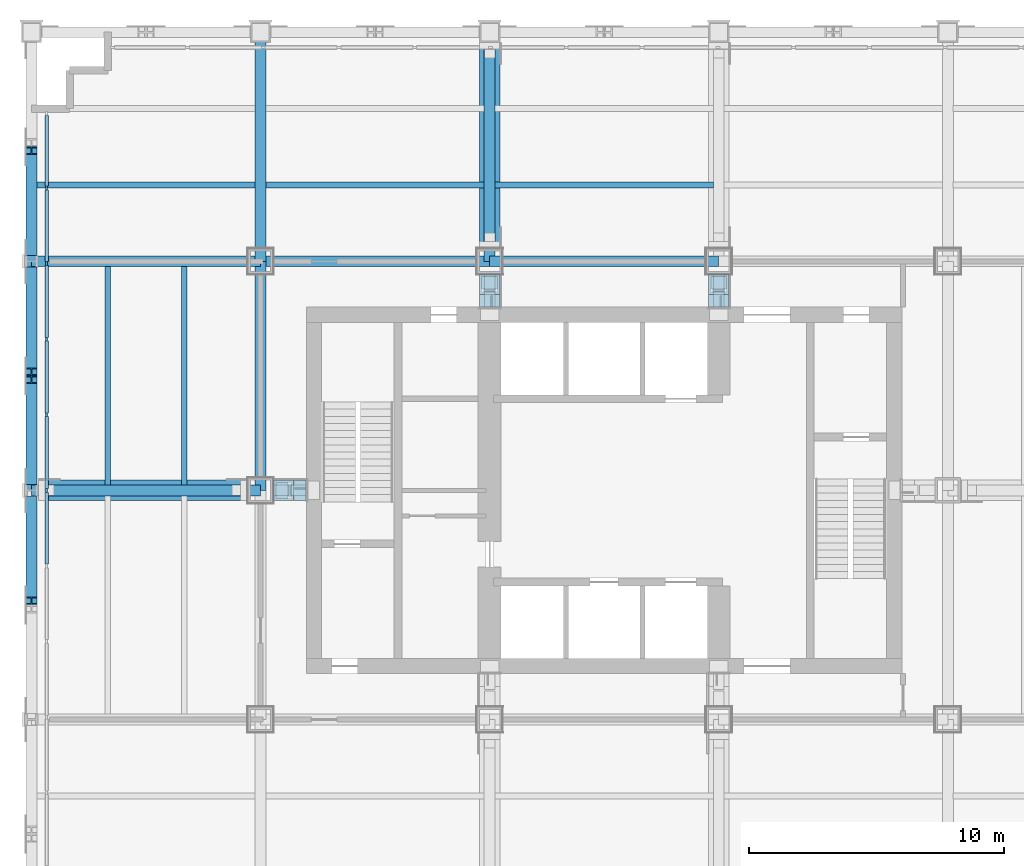
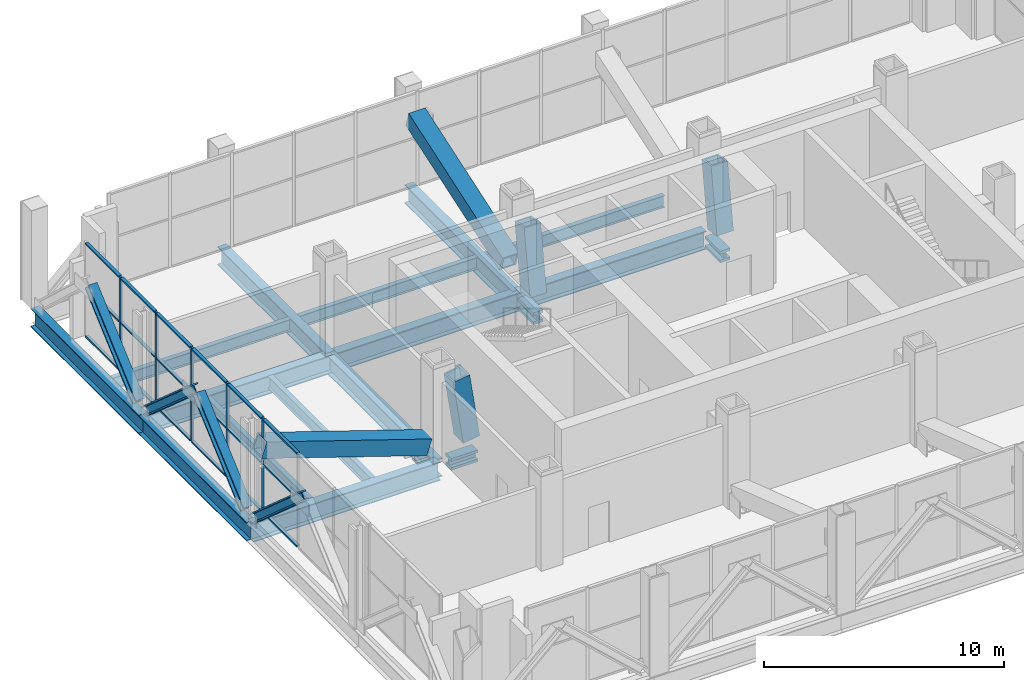
# One storey, part 4 of 16: 35 members, 14 beams, 1 element without a shape of its own.
"""IFC4 building model written with IfcOpenShell, lengths in metres."""

from ifc_helpers import new_model, si_unit, direction, frame, origin, origin_2d, place, context, subcontext, project, spatial, rectangle, hollow_rectangle, i_section, extrude, material, material_profile, profile_set, type_object, element, aggregate, save


model = new_model("IFC4")

# Units and contexts
model_context = context("Model", 3, precision=1e-05, world=origin(), true_north=direction((0.0, 1.0)))
body_context = subcontext(model_context, "Body", "Model", "MODEL_VIEW")
ifc_project = project(units=[si_unit("LENGTHUNIT", "METRE"), si_unit("AREAUNIT", "SQUARE_METRE"), si_unit("VOLUMEUNIT", "CUBIC_METRE"), si_unit("PLANEANGLEUNIT", "RADIAN"), si_unit("MASSUNIT", "GRAM", prefix="KILO")], contexts=[model_context])

# Site, building, storey
site_placement = place(None, origin())
site = spatial("IfcSite", under=ifc_project, at=site_placement, CompositionType="ELEMENT")
building_placement = place(site_placement, origin())
building = spatial("IfcBuilding", under=site, at=building_placement, Name="Loomwork Tower", CompositionType="ELEMENT")
storey_placement = place(building_placement, frame((0.0, 0.0, 155.39990234375)))
storey = spatial("IfcBuildingStorey", under=building, at=storey_placement, Name="L42", CompositionType="ELEMENT", Elevation=155.39990234375)

# Beams
ifc_material_1 = material(Name="Steel ASTM A992", Category="steel")
ifc_material_profile_1 = material_profile(ifc_material_1, i_section(OverallWidth=0.424072265625, OverallDepth=0.947509765625, WebThickness=0.02392578125, FlangeThickness=0.042724609375, at=origin_2d()), Name="W36x302")
ifc_profile_set_1 = profile_set([ifc_material_profile_1], Name="Steel ASTM A992")
beam_type_1 = type_object("IfcBeamType", Name="BELT CHORD SPANDREL W36x302", PredefinedType="SPANDREL", material=ifc_profile_set_1)
for number, where, z_axis, x_axis, name in (
    (1, (0.0, 18.0, -0.7236328125), (0.0, 1.0, 0.0), (-1.0, 0.0, 0.0), "Belt Chord Spandrel F/2-G/2 L42"),
    (2, (0.0, 27.0, -0.7236328125), (0.0, 1.0, 0.0), (-1.0, 0.0, 0.0), "Belt Chord Spandrel G/2-H/2 L42"),
):
    element("IfcBeam", number, at=place(storey_placement, frame(where, z_axis=z_axis, x_axis=x_axis)), inside=storey, type_object=beam_type_1, Name=name, PredefinedType="SPANDREL", context=body_context, shape_type="SweptSolid", body=[
        extrude(i_section(OverallWidth=0.424072265625, OverallDepth=0.947509765625, WebThickness=0.02392578125, FlangeThickness=0.042724609375, at=origin_2d()), origin(), (0.0, 0.0, 1.0), 9.0),
    ])

# Members
ifc_material_2 = material(Name="Steel ASTM A992", Category="steel")
ifc_material_profile_2 = material_profile(ifc_material_2, i_section(OverallWidth=0.419189453125, OverallDepth=0.45458984375, WebThickness=0.042236328125, FlangeThickness=0.067626953125, at=origin_2d()), Name="W14x370")
ifc_profile_set_2 = profile_set([ifc_material_profile_2], Name="Steel ASTM A992")
member_type_1 = type_object("IfcMemberType", Name="BELT TRUSS DIAGONAL W14x370", PredefinedType="BRACE", material=ifc_profile_set_2)
for number, where, z_axis, x_axis, name in (
    (3, (0.0, 17.61865234375, 0.1806640625), (0.0, -0.750125217925, 0.661295816887), (1.0, 0.0, 0.0), "Belt truss diagonal E/2-F/2 L42"),
    (4, (0.0, 18.38134765625, 0.1806640625), (0.0, 0.750125217925, 0.661295816887), (-1.0, 0.0, 0.0), "Belt truss diagonal F/2-G/2 L42"),
    (5, (0.0, 26.61865234375, 0.1806640625), (0.0, -0.750125217925, 0.661295816887), (1.0, 0.0, 0.0), "Belt truss diagonal F/2-G/2 L42"),
    (6, (0.0, 27.38134765625, 0.1806640625), (0.0, 0.750125217925, 0.661295816887), (-1.0, 0.0, 0.0), "Belt truss diagonal G/2-H/2 L42"),
):
    element("IfcMember", number, at=place(storey_placement, frame(where, z_axis=z_axis, x_axis=x_axis)), inside=storey, type_object=member_type_1, Name=name, PredefinedType="BRACE", context=body_context, shape_type="SweptSolid", body=[
        extrude(i_section(OverallWidth=0.419189453125, OverallDepth=0.45458984375, WebThickness=0.042236328125, FlangeThickness=0.067626953125, at=origin_2d()), origin(), (0.0, 0.0, 1.0), 5.27978515625),
    ])
ifc_material_3 = material(Name="Steel ASTM A572 Grade 50 plate", Category="steel")
ifc_material_profile_3 = material_profile(ifc_material_3, hollow_rectangle(XDim=0.800048828125, YDim=0.800048828125, WallThickness=0.090087890625, at=origin_2d()), Name="BOX800x90")
ifc_profile_set_3 = profile_set([ifc_material_profile_3], Name="Steel ASTM A572 Grade 50 plate")
member_type_2 = type_object("IfcMemberType", Name="OUTRIGGER DIAGONAL BOX800x90", PredefinedType="BRACE", material=ifc_profile_set_3)
member_1_placement = place(storey_placement, frame((0.411865234375, 18.0, 3.4609375), z_axis=(0.949450194103, 0.0, -0.313917710423), x_axis=(0.0, 1.0, 0.0)))
element("IfcMember", 7, at=member_1_placement, inside=storey, type_object=member_type_2, Name="Outrigger diagonal F/2 L42", PredefinedType="BRACE", context=body_context, shape_type="SweptSolid", body=[
    extrude(hollow_rectangle(XDim=0.800048828125, YDim=0.800048828125, WallThickness=0.090087890625, at=origin_2d()), origin(), (0.0, 0.0, 1.0), 8.373779296875),
])
member_2_placement = place(storey_placement, frame((9.90771484375, 18.0, 3.781982421875), z_axis=(0.146556688466, 0.0, -0.98920227308), x_axis=(0.0, 1.0, 0.0)))
element("IfcMember", 8, at=member_2_placement, inside=storey, type_object=member_type_2, Name="Outrigger diagonal F/3 L42", PredefinedType="BRACE", context=body_context, shape_type="SweptSolid", body=[
    extrude(hollow_rectangle(XDim=0.800048828125, YDim=0.800048828125, WallThickness=0.090087890625, at=origin_2d()), origin(), (0.0, 0.0, 1.0), 3.306640625),
])
member_3_placement = place(storey_placement, frame((18.0, 35.46044921875, 3.46142578125), z_axis=(0.0, -0.947848598928, -0.318720933593), x_axis=(1.0, 0.0, 0.0)))
element("IfcMember", 9, at=member_3_placement, inside=storey, type_object=member_type_2, Name="Outrigger diagonal H/4 L42", PredefinedType="BRACE", context=body_context, shape_type="SweptSolid", body=[
    extrude(hollow_rectangle(XDim=0.800048828125, YDim=0.800048828125, WallThickness=0.090087890625, at=origin_2d()), origin(), (0.0, 0.0, 1.0), 8.25146484375),
])
for number, where, z_axis, x_axis, name in (
    (10, (18.0, 26.09228515625, 3.781982421875), (0.0, -0.146556688466, -0.98920227308), (1.0, 0.0, 0.0), "Outrigger diagonal G/4 L42"),
    (11, (27.0, 26.09228515625, 3.781982421875), (0.0, -0.146556688466, -0.98920227308), (1.0, 0.0, 0.0), "Outrigger diagonal G/5 L42"),
):
    element("IfcMember", number, at=place(storey_placement, frame(where, z_axis=z_axis, x_axis=x_axis)), inside=storey, type_object=member_type_2, Name=name, PredefinedType="BRACE", context=body_context, shape_type="SweptSolid", body=[
        extrude(hollow_rectangle(XDim=0.800048828125, YDim=0.800048828125, WallThickness=0.090087890625, at=origin_2d()), origin(), (0.0, 0.0, 1.0), 3.306640625),
    ])

# Beams
ifc_material_4 = material(Name="Steel ASTM A992", Category="steel")
ifc_material_profile_4 = material_profile(ifc_material_4, i_section(OverallWidth=0.4267578125, OverallDepth=0.939697265625, WebThickness=0.028564453125, FlangeThickness=0.050537109375, at=origin_2d()), Name="W36x361")
ifc_profile_set_4 = profile_set([ifc_material_profile_4], Name="Steel ASTM A992")
beam_type_2 = type_object("IfcBeamType", Name="OUTRIGGER FLOOR GIRDER W36x361", PredefinedType="BEAM", material=ifc_profile_set_4)
for number, where, z_axis, x_axis, name in (
    (12, (0.0, 27.0, -0.7197265625), (1.0, 0.0, 0.0), (0.0, 1.0, 0.0), "Outrigger Floor Girder G/2-G/3 L42"),
    (13, (9.0, 27.0, -0.7197265625), (1.0, 0.0, 0.0), (0.0, 1.0, 0.0), "Outrigger Floor Girder G/3-G/4 L42"),
    (14, (18.0, 27.0, -0.7197265625), (1.0, 0.0, 0.0), (0.0, 1.0, 0.0), "Outrigger Floor Girder G/4-G/5 L42"),
    (15, (9.0, 18.0, -0.7197265625), (0.0, 1.0, 0.0), (-1.0, 0.0, 0.0), "Outrigger Floor Girder F/3-G/3 L42"),
    (16, (9.0, 27.0, -0.7197265625), (0.0, 1.0, 0.0), (-1.0, 0.0, 0.0), "Outrigger Floor Girder G/3-H/3 L42"),
):
    element("IfcBeam", number, at=place(storey_placement, frame(where, z_axis=z_axis, x_axis=x_axis)), inside=storey, type_object=beam_type_2, Name=name, PredefinedType="BEAM", context=body_context, shape_type="SweptSolid", body=[
        extrude(i_section(OverallWidth=0.4267578125, OverallDepth=0.939697265625, WebThickness=0.028564453125, FlangeThickness=0.050537109375, at=origin_2d()), origin(), (0.0, 0.0, 1.0), 9.0),
    ])
ifc_material_5 = material(Name="Steel ASTM A992", Category="steel")
ifc_material_profile_5 = material_profile(ifc_material_5, i_section(OverallWidth=0.424072265625, OverallDepth=0.947509765625, WebThickness=0.02392578125, FlangeThickness=0.042724609375, at=origin_2d()), Name="W36x302")
ifc_profile_set_5 = profile_set([ifc_material_profile_5], Name="Steel ASTM A992")
beam_type_3 = type_object("IfcBeamType", Name="OUTRIGGER GIRDER W36x302", PredefinedType="BEAM", material=ifc_profile_set_5)
for number, where, z_axis, x_axis, name in (
    (17, (0.0, 18.0, -0.7236328125), (1.0, 0.0, 0.0), (0.0, 1.0, 0.0), "Outrigger Girder F/2-F/3 L42"),
    (18, (18.0, 27.0, -0.7236328125), (0.0, 1.0, 0.0), (-1.0, 0.0, 0.0), "Outrigger Girder G/4-H/4 L42"),
):
    element("IfcBeam", number, at=place(storey_placement, frame(where, z_axis=z_axis, x_axis=x_axis)), inside=storey, type_object=beam_type_3, Name=name, PredefinedType="BEAM", context=body_context, shape_type="SweptSolid", body=[
        extrude(i_section(OverallWidth=0.424072265625, OverallDepth=0.947509765625, WebThickness=0.02392578125, FlangeThickness=0.042724609375, at=origin_2d()), origin(), (0.0, 0.0, 1.0), 9.0),
    ])

# Members
ifc_material_6 = material(Name="Steel ASTM A992", Category="steel")
ifc_material_profile_6 = material_profile(ifc_material_6, i_section(OverallWidth=0.4775390625, OverallDepth=0.599365234375, WebThickness=0.10009765625, FlangeThickness=0.139892578125, at=origin_2d()), Name="W14x873")
ifc_profile_set_6 = profile_set([ifc_material_profile_6], Name="Steel ASTM A992")
member_type_3 = type_object("IfcMemberType", Name="OUTRIGGER STRUT W14x873", PredefinedType="STRUT", material=ifc_profile_set_6)
for number, where, z_axis, x_axis, name in (
    (19, (27.0, 26.489990234375, -0.549560546875), (0.0, -1.0, 0.0), (1.0, 0.0, 0.0), "Outrigger strut G/5-27.000,24.900 L42"),
    (20, (18.0, 26.489990234375, -0.549560546875), (0.0, -1.0, 0.0), (1.0, 0.0, 0.0), "Outrigger strut G/4-18.000,24.900 L42"),
    (21, (9.510009765625, 18.0, -0.549560546875), (1.0, 0.0, 0.0), (0.0, 1.0, 0.0), "Outrigger strut F/3-11.100,18.000 L42"),
):
    element("IfcMember", number, at=place(storey_placement, frame(where, z_axis=z_axis, x_axis=x_axis)), inside=storey, type_object=member_type_3, Name=name, PredefinedType="STRUT", context=body_context, shape_type="SweptSolid", body=[
        extrude(i_section(OverallWidth=0.4775390625, OverallDepth=0.599365234375, WebThickness=0.10009765625, FlangeThickness=0.139892578125, at=origin_2d()), origin(), (0.0, 0.0, 1.0), 1.27490234375),
    ])

# Beams
ifc_material_7 = material(Name="Steel ASTM A992", Category="steel")
ifc_material_profile_7 = material_profile(ifc_material_7, i_section(OverallWidth=0.228271484375, OverallDepth=0.607177734375, WebThickness=0.01123046875, FlangeThickness=0.017333984375, at=origin_2d()), Name="W24x76")
ifc_profile_set_7 = profile_set([ifc_material_profile_7], Name="Steel ASTM A992")
beam_type_4 = type_object("IfcBeamType", Name="PLANT FLOOR JOIST W24x76", PredefinedType="JOIST", material=ifc_profile_set_7)
for number, where, z_axis, x_axis, name in (
    (22, (3.0, 18.2119140625, -0.553466796875), (0.0, 1.0, 0.0), (-1.0, 0.0, 0.0), "Plant Floor Joist 3.000,18.000-3.000,27.000 L42"),
    (23, (6.0, 18.2119140625, -0.553466796875), (0.0, 1.0, 0.0), (-1.0, 0.0, 0.0), "Plant Floor Joist 6.000,18.000-6.000,27.000 L42"),
    (24, (0.2119140625, 30.0, -0.553466796875), (1.0, 0.0, 0.0), (0.0, 1.0, 0.0), "Plant Floor Joist 0.000,30.000-9.000,30.000 L42"),
    (25, (9.212890625, 30.0, -0.553466796875), (1.0, 0.0, 0.0), (0.0, 1.0, 0.0), "Plant Floor Joist 9.000,30.000-18.000,30.000 L42"),
):
    element("IfcBeam", number, at=place(storey_placement, frame(where, z_axis=z_axis, x_axis=x_axis)), inside=storey, type_object=beam_type_4, Name=name, PredefinedType="JOIST", context=body_context, shape_type="SweptSolid", body=[
        extrude(i_section(OverallWidth=0.228271484375, OverallDepth=0.607177734375, WebThickness=0.01123046875, FlangeThickness=0.017333984375, at=origin_2d()), origin(), (0.0, 0.0, 1.0), 8.5751953125),
    ])
beam_placement = place(storey_placement, frame((18.2119140625, 30.0, -0.553466796875), z_axis=(1.0, 0.0, 0.0), x_axis=(0.0, 1.0, 0.0)))
element("IfcBeam", 26, at=beam_placement, inside=storey, type_object=beam_type_4, Name="Plant Floor Joist 18.000,30.000-27.000,30.000 L42", PredefinedType="JOIST", context=body_context, shape_type="SweptSolid", body=[
    extrude(i_section(OverallWidth=0.228271484375, OverallDepth=0.607177734375, WebThickness=0.01123046875, FlangeThickness=0.017333984375, at=origin_2d()), origin(), (0.0, 0.0, 1.0), 8.576171875),
])

# Curtain wall, members
ifc_material_8 = material(Name="Aluminium louvre frame", Category="aluminium")
curtain_wall_type = type_object("IfcCurtainWallType", Name="Plant floor louvre screen", PredefinedType="NOTDEFINED", material=ifc_material_8)
curtain_wall_placement = place(storey_placement, origin())
curtain_wall = element("IfcCurtainWall", 27, at=curtain_wall_placement, inside=storey, type_object=curtain_wall_type, Name="Plant floor louvre screen cw/W", PredefinedType="NOTDEFINED")
ifc_material_9 = material(Name="Aluminium louvre frame", Category="aluminium")
ifc_material_profile_8 = material_profile(ifc_material_9, rectangle(XDim=0.080078125, YDim=0.14990234375, at=origin_2d()), Name="AL 80x150")
ifc_profile_set_8 = profile_set([ifc_material_profile_8], Name="Aluminium louvre frame")
member_type_4 = type_object("IfcMemberType", Name="Plant floor louvre screen mullion", PredefinedType="MULLION", material=ifc_profile_set_8)
member_4_placement = place(storey_placement, frame((0.60009765625, 29.8798828125, 0.0), z_axis=(0.0, 0.0, 1.0), x_axis=(1.0, 0.0, 0.0)))
member_4 = element("IfcMember", 28, at=member_4_placement, type_object=member_type_4, Name="CW4 mullion 2", PredefinedType="MULLION", context=body_context, shape_type="SweptSolid", body=[
    extrude(rectangle(XDim=0.080078125, YDim=0.14990234375, at=origin_2d()), origin(), (0.0, 0.0, 1.0), 4.800048828125),
])
member_5_placement = place(storey_placement, frame((0.60009765625, 26.909912109375, 0.0), z_axis=(0.0, 0.0, 1.0), x_axis=(1.0, 0.0, 0.0)))
member_5 = element("IfcMember", 29, at=member_5_placement, type_object=member_type_4, Name="CW4 mullion 3", PredefinedType="MULLION", context=body_context, shape_type="SweptSolid", body=[
    extrude(rectangle(XDim=0.080078125, YDim=0.14990234375, at=origin_2d()), origin(), (0.0, 0.0, 1.0), 4.800048828125),
])
member_6_placement = place(storey_placement, frame((0.60009765625, 23.93994140625, 0.0), z_axis=(0.0, 0.0, 1.0), x_axis=(1.0, 0.0, 0.0)))
member_6 = element("IfcMember", 30, at=member_6_placement, type_object=member_type_4, Name="CW4 mullion 4", PredefinedType="MULLION", context=body_context, shape_type="SweptSolid", body=[
    extrude(rectangle(XDim=0.080078125, YDim=0.14990234375, at=origin_2d()), origin(), (0.0, 0.0, 1.0), 4.800048828125),
])
member_7_placement = place(storey_placement, frame((0.60009765625, 20.969970703125, 0.0), z_axis=(0.0, 0.0, 1.0), x_axis=(1.0, 0.0, 0.0)))
member_7 = element("IfcMember", 31, at=member_7_placement, type_object=member_type_4, Name="CW4 mullion 5", PredefinedType="MULLION", context=body_context, shape_type="SweptSolid", body=[
    extrude(rectangle(XDim=0.080078125, YDim=0.14990234375, at=origin_2d()), origin(), (0.0, 0.0, 1.0), 4.800048828125),
])
member_8_placement = place(storey_placement, frame((0.60009765625, 18.0, 0.0), z_axis=(0.0, 0.0, 1.0), x_axis=(1.0, 0.0, 0.0)))
member_8 = element("IfcMember", 32, at=member_8_placement, type_object=member_type_4, Name="CW4 mullion 6", PredefinedType="MULLION", context=body_context, shape_type="SweptSolid", body=[
    extrude(rectangle(XDim=0.080078125, YDim=0.14990234375, at=origin_2d()), origin(), (0.0, 0.0, 1.0), 4.800048828125),
])
ifc_material_10 = material(Name="Aluminium louvre frame", Category="aluminium")
ifc_material_profile_9 = material_profile(ifc_material_10, rectangle(XDim=0.14990234375, YDim=0.080078125, at=origin_2d()), Name="AL 80x150")
ifc_profile_set_9 = profile_set([ifc_material_profile_9], Name="Aluminium louvre frame")
member_type_5 = type_object("IfcMemberType", Name="Plant floor louvre screen transom", PredefinedType="USERDEFINED", material=ifc_profile_set_9)
member_9_placement = place(storey_placement, frame((0.60009765625, 32.735107421875, 0.0400390625), z_axis=(0.0, -1.0, 0.0), x_axis=(1.0, 0.0, 0.0)))
member_9 = element("IfcMember", 33, at=member_9_placement, type_object=member_type_5, Name="CW4 transom 1.1", ObjectType="TRANSOM", PredefinedType="USERDEFINED", context=body_context, shape_type="SweptSolid", body=[
    extrude(rectangle(XDim=0.14990234375, YDim=0.080078125, at=origin_2d()), origin(), (0.0, 0.0, 1.0), 2.780029296875),
])
member_10_placement = place(storey_placement, frame((0.60009765625, 32.735107421875, 2.5), z_axis=(0.0, -1.0, 0.0), x_axis=(1.0, 0.0, 0.0)))
member_10 = element("IfcMember", 34, at=member_10_placement, type_object=member_type_5, Name="CW4 transom 1.2", ObjectType="TRANSOM", PredefinedType="USERDEFINED", context=body_context, shape_type="SweptSolid", body=[
    extrude(rectangle(XDim=0.14990234375, YDim=0.080078125, at=origin_2d()), origin(), (0.0, 0.0, 1.0), 2.780029296875),
])
member_11_placement = place(storey_placement, frame((0.60009765625, 32.735107421875, 4.760009765625), z_axis=(0.0, -1.0, 0.0), x_axis=(1.0, 0.0, 0.0)))
member_11 = element("IfcMember", 35, at=member_11_placement, type_object=member_type_5, Name="CW4 transom 1.3", ObjectType="TRANSOM", PredefinedType="USERDEFINED", context=body_context, shape_type="SweptSolid", body=[
    extrude(rectangle(XDim=0.14990234375, YDim=0.080078125, at=origin_2d()), origin(), (0.0, 0.0, 1.0), 2.780029296875),
])
member_12_placement = place(storey_placement, frame((0.60009765625, 29.804931640625, 0.0400390625), z_axis=(0.0, -1.0, 0.0), x_axis=(1.0, 0.0, 0.0)))
member_12 = element("IfcMember", 36, at=member_12_placement, type_object=member_type_5, Name="CW4 transom 2.1", ObjectType="TRANSOM", PredefinedType="USERDEFINED", context=body_context, shape_type="SweptSolid", body=[
    extrude(rectangle(XDim=0.14990234375, YDim=0.080078125, at=origin_2d()), origin(), (0.0, 0.0, 1.0), 2.81982421875),
])
member_13_placement = place(storey_placement, frame((0.60009765625, 29.804931640625, 2.5), z_axis=(0.0, -1.0, 0.0), x_axis=(1.0, 0.0, 0.0)))
member_13 = element("IfcMember", 37, at=member_13_placement, type_object=member_type_5, Name="CW4 transom 2.2", ObjectType="TRANSOM", PredefinedType="USERDEFINED", context=body_context, shape_type="SweptSolid", body=[
    extrude(rectangle(XDim=0.14990234375, YDim=0.080078125, at=origin_2d()), origin(), (0.0, 0.0, 1.0), 2.81982421875),
])
member_14_placement = place(storey_placement, frame((0.60009765625, 29.804931640625, 4.760009765625), z_axis=(0.0, -1.0, 0.0), x_axis=(1.0, 0.0, 0.0)))
member_14 = element("IfcMember", 38, at=member_14_placement, type_object=member_type_5, Name="CW4 transom 2.3", ObjectType="TRANSOM", PredefinedType="USERDEFINED", context=body_context, shape_type="SweptSolid", body=[
    extrude(rectangle(XDim=0.14990234375, YDim=0.080078125, at=origin_2d()), origin(), (0.0, 0.0, 1.0), 2.81982421875),
])
member_15_placement = place(storey_placement, frame((0.60009765625, 26.8349609375, 0.0400390625), z_axis=(0.0, -1.0, 0.0), x_axis=(1.0, 0.0, 0.0)))
member_15 = element("IfcMember", 39, at=member_15_placement, type_object=member_type_5, Name="CW4 transom 3.1", ObjectType="TRANSOM", PredefinedType="USERDEFINED", context=body_context, shape_type="SweptSolid", body=[
    extrude(rectangle(XDim=0.14990234375, YDim=0.080078125, at=origin_2d()), origin(), (0.0, 0.0, 1.0), 2.820068359375),
])
member_16_placement = place(storey_placement, frame((0.60009765625, 26.8349609375, 2.5), z_axis=(0.0, -1.0, 0.0), x_axis=(1.0, 0.0, 0.0)))
member_16 = element("IfcMember", 40, at=member_16_placement, type_object=member_type_5, Name="CW4 transom 3.2", ObjectType="TRANSOM", PredefinedType="USERDEFINED", context=body_context, shape_type="SweptSolid", body=[
    extrude(rectangle(XDim=0.14990234375, YDim=0.080078125, at=origin_2d()), origin(), (0.0, 0.0, 1.0), 2.820068359375),
])
member_17_placement = place(storey_placement, frame((0.60009765625, 26.8349609375, 4.760009765625), z_axis=(0.0, -1.0, 0.0), x_axis=(1.0, 0.0, 0.0)))
member_17 = element("IfcMember", 41, at=member_17_placement, type_object=member_type_5, Name="CW4 transom 3.3", ObjectType="TRANSOM", PredefinedType="USERDEFINED", context=body_context, shape_type="SweptSolid", body=[
    extrude(rectangle(XDim=0.14990234375, YDim=0.080078125, at=origin_2d()), origin(), (0.0, 0.0, 1.0), 2.820068359375),
])
member_18_placement = place(storey_placement, frame((0.60009765625, 23.864990234375, 0.0400390625), z_axis=(0.0, -1.0, 0.0), x_axis=(1.0, 0.0, 0.0)))
member_18 = element("IfcMember", 42, at=member_18_placement, type_object=member_type_5, Name="CW4 transom 4.1", ObjectType="TRANSOM", PredefinedType="USERDEFINED", context=body_context, shape_type="SweptSolid", body=[
    extrude(rectangle(XDim=0.14990234375, YDim=0.080078125, at=origin_2d()), origin(), (0.0, 0.0, 1.0), 2.820068359375),
])
member_19_placement = place(storey_placement, frame((0.60009765625, 23.864990234375, 2.5), z_axis=(0.0, -1.0, 0.0), x_axis=(1.0, 0.0, 0.0)))
member_19 = element("IfcMember", 43, at=member_19_placement, type_object=member_type_5, Name="CW4 transom 4.2", ObjectType="TRANSOM", PredefinedType="USERDEFINED", context=body_context, shape_type="SweptSolid", body=[
    extrude(rectangle(XDim=0.14990234375, YDim=0.080078125, at=origin_2d()), origin(), (0.0, 0.0, 1.0), 2.820068359375),
])
member_20_placement = place(storey_placement, frame((0.60009765625, 23.864990234375, 4.760009765625), z_axis=(0.0, -1.0, 0.0), x_axis=(1.0, 0.0, 0.0)))
member_20 = element("IfcMember", 44, at=member_20_placement, type_object=member_type_5, Name="CW4 transom 4.3", ObjectType="TRANSOM", PredefinedType="USERDEFINED", context=body_context, shape_type="SweptSolid", body=[
    extrude(rectangle(XDim=0.14990234375, YDim=0.080078125, at=origin_2d()), origin(), (0.0, 0.0, 1.0), 2.820068359375),
])
member_21_placement = place(storey_placement, frame((0.60009765625, 20.89501953125, 0.0400390625), z_axis=(0.0, -1.0, 0.0), x_axis=(1.0, 0.0, 0.0)))
member_21 = element("IfcMember", 45, at=member_21_placement, type_object=member_type_5, Name="CW4 transom 5.1", ObjectType="TRANSOM", PredefinedType="USERDEFINED", context=body_context, shape_type="SweptSolid", body=[
    extrude(rectangle(XDim=0.14990234375, YDim=0.080078125, at=origin_2d()), origin(), (0.0, 0.0, 1.0), 2.820068359375),
])
member_22_placement = place(storey_placement, frame((0.60009765625, 20.89501953125, 2.5), z_axis=(0.0, -1.0, 0.0), x_axis=(1.0, 0.0, 0.0)))
member_22 = element("IfcMember", 46, at=member_22_placement, type_object=member_type_5, Name="CW4 transom 5.2", ObjectType="TRANSOM", PredefinedType="USERDEFINED", context=body_context, shape_type="SweptSolid", body=[
    extrude(rectangle(XDim=0.14990234375, YDim=0.080078125, at=origin_2d()), origin(), (0.0, 0.0, 1.0), 2.820068359375),
])
member_23_placement = place(storey_placement, frame((0.60009765625, 20.89501953125, 4.760009765625), z_axis=(0.0, -1.0, 0.0), x_axis=(1.0, 0.0, 0.0)))
member_23 = element("IfcMember", 47, at=member_23_placement, type_object=member_type_5, Name="CW4 transom 5.3", ObjectType="TRANSOM", PredefinedType="USERDEFINED", context=body_context, shape_type="SweptSolid", body=[
    extrude(rectangle(XDim=0.14990234375, YDim=0.080078125, at=origin_2d()), origin(), (0.0, 0.0, 1.0), 2.820068359375),
])
member_24_placement = place(storey_placement, frame((0.60009765625, 17.925048828125, 0.0400390625), z_axis=(0.0, -1.0, 0.0), x_axis=(1.0, 0.0, 0.0)))
member_24 = element("IfcMember", 48, at=member_24_placement, type_object=member_type_5, Name="CW4 transom 6.1", ObjectType="TRANSOM", PredefinedType="USERDEFINED", context=body_context, shape_type="SweptSolid", body=[
    extrude(rectangle(XDim=0.14990234375, YDim=0.080078125, at=origin_2d()), origin(), (0.0, 0.0, 1.0), 2.820068359375),
])
member_25_placement = place(storey_placement, frame((0.60009765625, 17.925048828125, 2.5), z_axis=(0.0, -1.0, 0.0), x_axis=(1.0, 0.0, 0.0)))
member_25 = element("IfcMember", 49, at=member_25_placement, type_object=member_type_5, Name="CW4 transom 6.2", ObjectType="TRANSOM", PredefinedType="USERDEFINED", context=body_context, shape_type="SweptSolid", body=[
    extrude(rectangle(XDim=0.14990234375, YDim=0.080078125, at=origin_2d()), origin(), (0.0, 0.0, 1.0), 2.820068359375),
])
member_26_placement = place(storey_placement, frame((0.60009765625, 17.925048828125, 4.760009765625), z_axis=(0.0, -1.0, 0.0), x_axis=(1.0, 0.0, 0.0)))
member_26 = element("IfcMember", 50, at=member_26_placement, type_object=member_type_5, Name="CW4 transom 6.3", ObjectType="TRANSOM", PredefinedType="USERDEFINED", context=body_context, shape_type="SweptSolid", body=[
    extrude(rectangle(XDim=0.14990234375, YDim=0.080078125, at=origin_2d()), origin(), (0.0, 0.0, 1.0), 2.820068359375),
])
aggregate(curtain_wall, [member_4, member_5, member_6, member_7, member_8, member_9, member_10, member_11, member_12, member_13, member_14, member_15, member_16, member_17, member_18, member_19, member_20, member_21, member_22, member_23, member_24, member_25, member_26])

save(model, "model.ifc")
